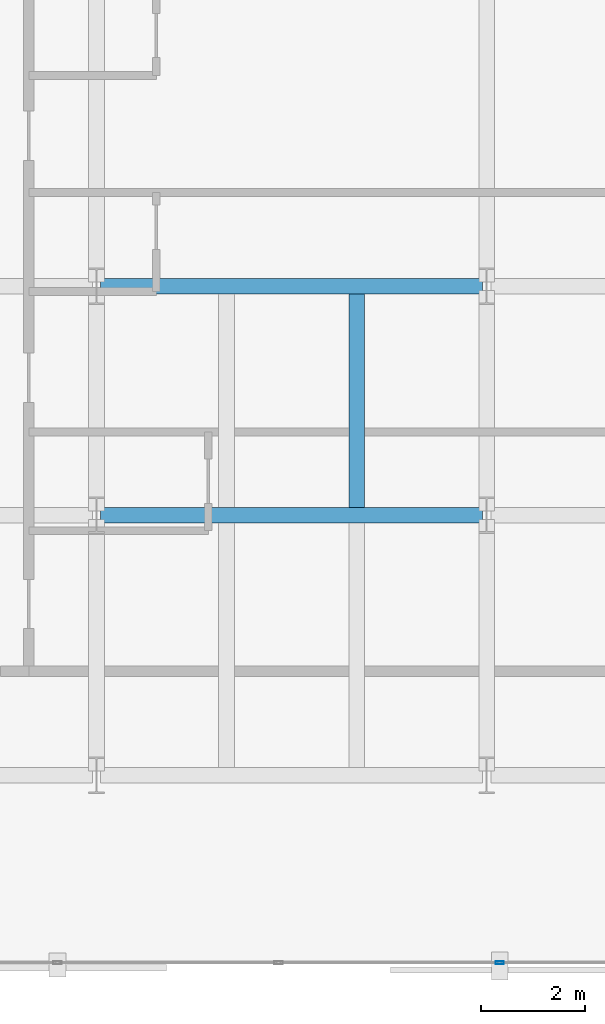
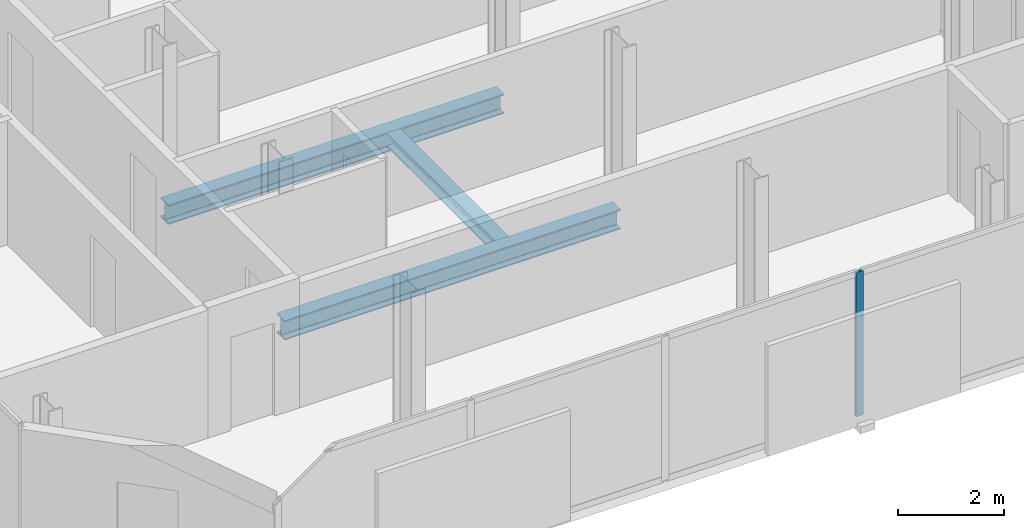
# One storey, part 6 of 32: 3 beams, 1 member, 1 element without a shape of its own.
"""IFC4 building model written with IfcOpenShell, lengths in metres."""

from ifc_helpers import new_model, si_unit, direction, frame, origin, origin_2d, place, context, subcontext, project, spatial, hollow_rectangle, i_section, extrude, material, layer, layer_set, material_profile, profile_set, type_object, element, aggregate, save


model = new_model("IFC4")

# Units and contexts
model_context = context("Model", 3, precision=1e-05, world=origin(), true_north=direction((0.0, 1.0)))
body_context = subcontext(model_context, "Body", "Model", "MODEL_VIEW")
ifc_project = project(units=[si_unit("LENGTHUNIT", "METRE"), si_unit("AREAUNIT", "SQUARE_METRE"), si_unit("VOLUMEUNIT", "CUBIC_METRE"), si_unit("PLANEANGLEUNIT", "RADIAN"), si_unit("MASSUNIT", "GRAM", prefix="KILO")], contexts=[model_context])

# Site, building, storey
site_placement = place(None, origin())
site = spatial("IfcSite", under=ifc_project, at=site_placement, CompositionType="ELEMENT")
building_placement = place(site_placement, origin())
building = spatial("IfcBuilding", under=site, at=building_placement, Name="Catumbela Crestline Tower", CompositionType="ELEMENT")
storey_placement = place(building_placement, frame((0.0, 0.0, 126.0)))
storey = spatial("IfcBuildingStorey", under=building, at=storey_placement, Name="L32", CompositionType="ELEMENT", Elevation=126.0)

# Beams
ifc_material_1 = material(Name="Structural steel S355J2", Category="steel")
ifc_material_profile_1 = material_profile(ifc_material_1, i_section(OverallWidth=0.3, OverallDepth=0.45, WebThickness=0.014, FlangeThickness=0.026, FilletRadius=0.027, at=origin_2d()), Name="HEB 450")
ifc_profile_set_1 = profile_set([ifc_material_profile_1], Name="Structural steel S355J2")
beam_type_1 = type_object("IfcBeamType", Name="BG-HEB450", PredefinedType="BEAM", material=ifc_profile_set_1)
for number, where, z_axis, x_axis, name in (
    (1, (8.58, 13.6, -0.485), (1.0, 0.0, 0.0), (0.0, 1.0, 0.0), "L32 Beam BM-L32-WEW47"),
    (2, (8.58, 18.0, -0.485), (1.0, 0.0, 0.0), (0.0, 1.0, 0.0), "L32 Beam BM-L32-WEW50"),
):
    element("IfcBeam", number, at=place(storey_placement, frame(where, z_axis=z_axis, x_axis=x_axis)), inside=storey, type_object=beam_type_1, Name=name, PredefinedType="BEAM", context=body_context, shape_type="SweptSolid", body=[
        extrude(i_section(OverallWidth=0.3, OverallDepth=0.45, WebThickness=0.014, FlangeThickness=0.026, FilletRadius=0.027, at=origin_2d()), origin(), (0.0, 0.0, 1.0), 7.34),
    ])
ifc_material_profile_2 = material_profile(ifc_material_1, i_section(OverallWidth=0.3, OverallDepth=0.31, WebThickness=0.009, FlangeThickness=0.0155, FilletRadius=0.027, at=origin_2d()), Name="HEA 320")
ifc_profile_set_2 = profile_set([ifc_material_profile_2], Name="Structural steel S355J2")
beam_type_2 = type_object("IfcBeamType", Name="BJ-HEA320", PredefinedType="JOIST", material=ifc_profile_set_2)
beam_placement = place(storey_placement, frame((13.5, 13.747, -0.415), z_axis=(0.0, 1.0, 0.0), x_axis=(-1.0, 0.0, 0.0)))
element("IfcBeam", 3, at=beam_placement, inside=storey, type_object=beam_type_2, Name="L32 Joist JS-L32-WG72", PredefinedType="JOIST", context=body_context, shape_type="SweptSolid", body=[
    extrude(i_section(OverallWidth=0.3, OverallDepth=0.31, WebThickness=0.009, FlangeThickness=0.0155, FilletRadius=0.027, at=origin_2d()), origin(), (0.0, 0.0, 1.0), 4.106),
])

# Curtain wall, member
ifc_material_2 = material(Name="Aluminium alloy AW-6060-T66", Category="aluminium")
ifc_layer = layer(ifc_material_2, 0.18, Name="Aluminium alloy AW-6060-T66")
ifc_layer_set = layer_set([ifc_layer], Name="Aluminium alloy AW-6060-T66")
curtain_wall_type = type_object("IfcCurtainWallType", Name="CWU-Z2", PredefinedType="USERDEFINED", material=ifc_layer_set)
curtain_wall_placement = place(storey_placement, origin())
curtain_wall = element("IfcCurtainWall", 4, at=curtain_wall_placement, inside=storey, type_object=curtain_wall_type, Name="L32 Unitised Curtain Wall CW-L32-E0S1", ObjectType="UNITISED", PredefinedType="USERDEFINED")
ifc_material_profile_3 = material_profile(ifc_material_2, hollow_rectangle(XDim=0.06, YDim=0.16, WallThickness=0.004, at=origin_2d()), Name="ALU 160x60x4")
ifc_profile_set_3 = profile_set([ifc_material_profile_3], Name="Aluminium alloy AW-6060-T66")
member_type = type_object("IfcMemberType", Name="MUL-160X60", PredefinedType="MULLION", material=ifc_profile_set_3)
member_placement = place(storey_placement, frame((16.25, 5.0, 0.0), z_axis=(0.0, 0.0, 1.0), x_axis=(0.0, 1.0, 0.0)))
member = element("IfcMember", 5, at=member_placement, type_object=member_type, Name="CWU-Z2 mullion 4", PredefinedType="MULLION", context=body_context, shape_type="SweptSolid", body=[
    extrude(hollow_rectangle(XDim=0.06, YDim=0.16, WallThickness=0.004, at=origin_2d()), origin(), (0.0, 0.0, 1.0), 3.33),
])
aggregate(curtain_wall, [member])

save(model, "model.ifc")
